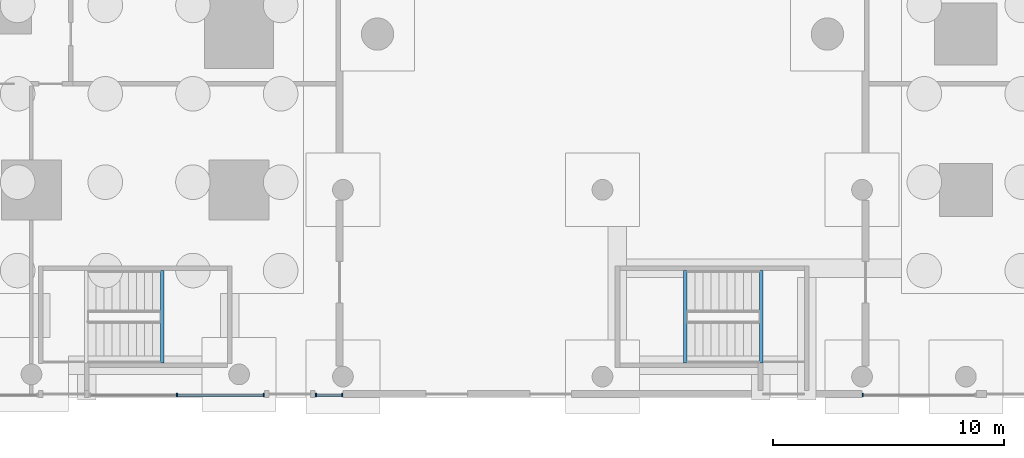
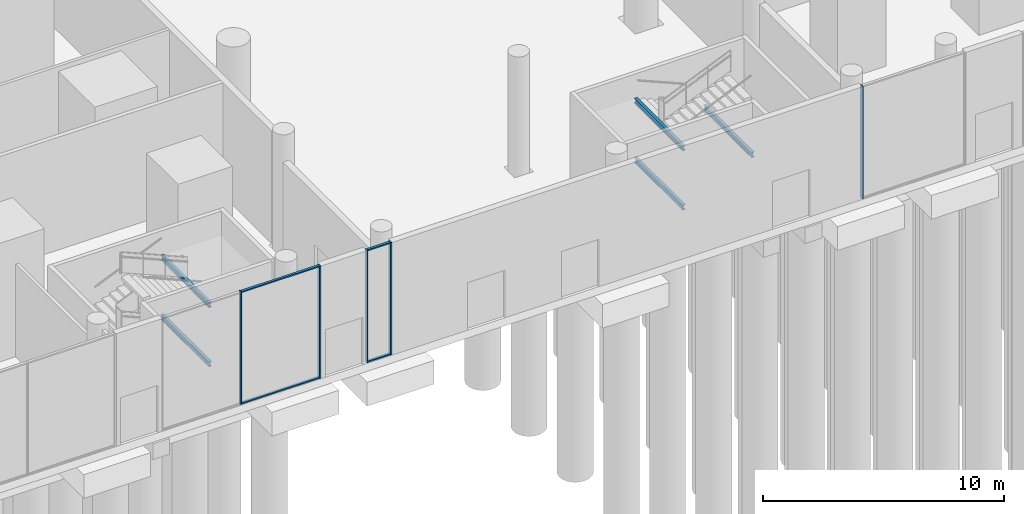
# One storey, part 6 of 31: 9 members, 5 beams, 3 elements without a shape of their own.
"""IFC4 building model written with IfcOpenShell, lengths in metres."""

from ifc_helpers import new_model, si_unit, direction, frame, origin, origin_2d, place, context, subcontext, project, spatial, rectangle, i_section, extrude, material, layer, layer_set, material_profile, profile_set, type_object, element, aggregate, save


model = new_model("IFC4")

# Units and contexts
model_context = context("Model", 3, precision=1e-05, world=origin(), true_north=direction((0.0, 1.0)))
body_context = subcontext(model_context, "Body", "Model", "MODEL_VIEW")
ifc_project = project(units=[si_unit("LENGTHUNIT", "METRE"), si_unit("AREAUNIT", "SQUARE_METRE"), si_unit("VOLUMEUNIT", "CUBIC_METRE"), si_unit("PLANEANGLEUNIT", "RADIAN"), si_unit("MASSUNIT", "GRAM", prefix="KILO")], contexts=[model_context])

# Site, building, storey
site_placement = place(None, origin())
site = spatial("IfcSite", under=ifc_project, at=site_placement, CompositionType="ELEMENT")
building_placement = place(site_placement, origin())
building = spatial("IfcBuilding", under=site, at=building_placement, Name="Namib Vertical Campus", CompositionType="ELEMENT")
storey_placement = place(building_placement, origin())
storey = spatial("IfcBuildingStorey", under=building, at=storey_placement, Name="L00", CompositionType="ELEMENT", Elevation=0.0)

# Curtain wall, members
ifc_material_1 = material(Name="Black aluminium curtain wall", Category="aluminium")
ifc_layer = layer(ifc_material_1, 0.199951171875)
ifc_layer_set = layer_set([ifc_layer], Name="Entrance curtain wall CW-EN")
curtain_wall_type = type_object("IfcCurtainWallType", Name="Entrance curtain wall CW-EN", PredefinedType="USERDEFINED", material=ifc_layer_set)
curtain_wall_1_placement = place(storey_placement, origin())
curtain_wall_1 = element("IfcCurtainWall", 1, at=curtain_wall_1_placement, inside=storey, type_object=curtain_wall_type, Name="Curtain wall CW-EN L00 5-1", ObjectType="CURTAIN WALL", PredefinedType="USERDEFINED")
ifc_material_2 = material(Name="Black anodised aluminium", Category="aluminium")
ifc_material_profile_1 = material_profile(ifc_material_2, rectangle(XDim=0.06005859375, YDim=0.159912109375, at=origin_2d()))
ifc_profile_set_1 = profile_set([ifc_material_profile_1], Name="Black anodised aluminium")
member_type_1 = type_object("IfcMemberType", Name="Curtain wall mullion 60x160", PredefinedType="MULLION", material=ifc_profile_set_1)
member_1_placement = place(storey_placement, frame((33.300048828125, -4.39990234375, 0.0), z_axis=(0.0, 0.0, 1.0), x_axis=(1.0, 0.0, 0.0)))
member_1 = element("IfcMember", 2, at=member_1_placement, type_object=member_type_1, Name="CW-EN mullion 2", PredefinedType="MULLION", context=body_context, shape_type="SweptSolid", body=[
    extrude(rectangle(XDim=0.06005859375, YDim=0.159912109375, at=origin_2d()), origin(), (0.0, 0.0, 1.0), 5.699951171875),
])
member_2_placement = place(storey_placement, frame((37.070068359375, -4.39990234375, 0.0), z_axis=(0.0, 0.0, 1.0), x_axis=(1.0, 0.0, 0.0)))
member_2 = element("IfcMember", 3, at=member_2_placement, type_object=member_type_1, Name="CW-EN mullion 3", PredefinedType="MULLION", context=body_context, shape_type="SweptSolid", body=[
    extrude(rectangle(XDim=0.06005859375, YDim=0.159912109375, at=origin_2d()), origin(), (0.0, 0.0, 1.0), 5.699951171875),
])

curtain_wall_2_placement = place(storey_placement, origin())
curtain_wall_2 = element("IfcCurtainWall", 4, at=curtain_wall_2_placement, inside=storey, type_object=curtain_wall_type, Name="Curtain wall CW-EN L00 7-1", ObjectType="CURTAIN WALL", PredefinedType="USERDEFINED")
member_3_placement = place(storey_placement, frame((39.330078125, -4.39990234375, 0.0), z_axis=(0.0, 0.0, 1.0), x_axis=(1.0, 0.0, 0.0)))
member_3 = element("IfcMember", 5, at=member_3_placement, type_object=member_type_1, Name="CW-EN mullion 1", PredefinedType="MULLION", context=body_context, shape_type="SweptSolid", body=[
    extrude(rectangle(XDim=0.06005859375, YDim=0.159912109375, at=origin_2d()), origin(), (0.0, 0.0, 1.0), 5.699951171875),
])
member_4_placement = place(storey_placement, frame((40.469970703125, -4.39990234375, 0.0), z_axis=(0.0, 0.0, 1.0), x_axis=(1.0, 0.0, 0.0)))
member_4 = element("IfcMember", 6, at=member_4_placement, type_object=member_type_1, Name="CW-EN mullion 2", PredefinedType="MULLION", context=body_context, shape_type="SweptSolid", body=[
    extrude(rectangle(XDim=0.06005859375, YDim=0.159912109375, at=origin_2d()), origin(), (0.0, 0.0, 1.0), 5.699951171875),
])

# Curtain wall, member
curtain_wall_3_placement = place(storey_placement, origin())
curtain_wall_3 = element("IfcCurtainWall", 7, at=curtain_wall_3_placement, inside=storey, type_object=curtain_wall_type, Name="Curtain wall CW-EN L00 9-1", ObjectType="CURTAIN WALL", PredefinedType="USERDEFINED")
member_5_placement = place(storey_placement, frame((63.030029296875, -4.39990234375, 0.0), z_axis=(0.0, 0.0, 1.0), x_axis=(1.0, 0.0, 0.0)))
member_5 = element("IfcMember", 8, at=member_5_placement, type_object=member_type_1, Name="CW-EN mullion 1", PredefinedType="MULLION", context=body_context, shape_type="SweptSolid", body=[
    extrude(rectangle(XDim=0.06005859375, YDim=0.159912109375, at=origin_2d()), origin(), (0.0, 0.0, 1.0), 5.699951171875),
])
aggregate(curtain_wall_3, [member_5])

# Member
ifc_material_3 = material(Name="Black anodised aluminium", Category="aluminium")
ifc_material_profile_2 = material_profile(ifc_material_3, rectangle(XDim=0.06005859375, YDim=0.1201171875, at=origin_2d()))
ifc_profile_set_2 = profile_set([ifc_material_profile_2], Name="Black anodised aluminium")
member_type_2 = type_object("IfcMemberType", Name="Curtain wall transom 60x120", PredefinedType="USERDEFINED", material=ifc_profile_set_2)
member_6_placement = place(storey_placement, frame((33.330078125, -4.39990234375, 0.030029296875), z_axis=(1.0, 0.0, 0.0), x_axis=(0.0, 0.0, 1.0)))
member_6 = element("IfcMember", 9, at=member_6_placement, type_object=member_type_2, Name="CW-EN transom 2.1", ObjectType="TRANSOM", PredefinedType="USERDEFINED", context=body_context, shape_type="SweptSolid", body=[
    extrude(rectangle(XDim=0.06005859375, YDim=0.1201171875, at=origin_2d()), origin(), (0.0, 0.0, 1.0), 3.7099609375),
])

member_7_placement = place(storey_placement, frame((33.330078125, -4.39990234375, 5.669921875), z_axis=(1.0, 0.0, 0.0), x_axis=(0.0, 0.0, 1.0)))
member_7 = element("IfcMember", 10, at=member_7_placement, type_object=member_type_2, Name="CW-EN transom 2.2", ObjectType="TRANSOM", PredefinedType="USERDEFINED", context=body_context, shape_type="SweptSolid", body=[
    extrude(rectangle(XDim=0.06005859375, YDim=0.1201171875, at=origin_2d()), origin(), (0.0, 0.0, 1.0), 3.7099609375),
])

aggregate(curtain_wall_1, [member_1, member_2, member_6, member_7])

member_8_placement = place(storey_placement, frame((39.360107421875, -4.39990234375, 0.030029296875), z_axis=(1.0, 0.0, 0.0), x_axis=(0.0, 0.0, 1.0)))
member_8 = element("IfcMember", 11, at=member_8_placement, type_object=member_type_2, Name="CW-EN transom 1.1", ObjectType="TRANSOM", PredefinedType="USERDEFINED", context=body_context, shape_type="SweptSolid", body=[
    extrude(rectangle(XDim=0.06005859375, YDim=0.1201171875, at=origin_2d()), origin(), (0.0, 0.0, 1.0), 1.079833984375),
])

member_9_placement = place(storey_placement, frame((39.360107421875, -4.39990234375, 5.669921875), z_axis=(1.0, 0.0, 0.0), x_axis=(0.0, 0.0, 1.0)))
member_9 = element("IfcMember", 12, at=member_9_placement, type_object=member_type_2, Name="CW-EN transom 1.2", ObjectType="TRANSOM", PredefinedType="USERDEFINED", context=body_context, shape_type="SweptSolid", body=[
    extrude(rectangle(XDim=0.06005859375, YDim=0.1201171875, at=origin_2d()), origin(), (0.0, 0.0, 1.0), 1.079833984375),
])

aggregate(curtain_wall_2, [member_3, member_4, member_8, member_9])

# Beams
ifc_material_4 = material(Name="Steel S355JR", Category="steel")
ifc_material_profile_3 = material_profile(ifc_material_4, i_section(OverallWidth=0.14599609375, OverallDepth=0.25146484375, WebThickness=0.006103515625, FlangeThickness=0.008544921875, FilletRadius=0.007568359375, at=origin_2d()))
ifc_profile_set_3 = profile_set([ifc_material_profile_3], Name="Steel S355JR")
beam_type = type_object("IfcBeamType", Name="Landing trimmer UB 254x146x31", PredefinedType="BEAM", material=ifc_profile_set_3)
for number, where, z_axis, x_axis, name in (
    (13, (32.669189453125, -3.0, 1.374267578125), (0.0, 1.0, 0.0), (-1.0, 0.0, 0.0), "Landing trimmer LT1 P-S2 L00 1"),
    (14, (32.669189453125, -3.0, 4.374267578125), (0.0, 1.0, 0.0), (-1.0, 0.0, 0.0), "Landing trimmer LT1 P-S2 L00 3"),
    (15, (55.330810546875, -3.0, 1.374267578125), (0.0, 1.0, 0.0), (-1.0, 0.0, 0.0), "Landing trimmer LT1 P-S4 L00 1"),
    (16, (58.626953125, -3.0, 2.874267578125), (0.0, 1.0, 0.0), (-1.0, 0.0, 0.0), "Landing trimmer LT1 P-S4 L00 2"),
    (17, (55.330810546875, -3.0, 4.374267578125), (0.0, 1.0, 0.0), (-1.0, 0.0, 0.0), "Landing trimmer LT1 P-S4 L00 3"),
):
    element("IfcBeam", number, at=place(storey_placement, frame(where, z_axis=z_axis, x_axis=x_axis)), inside=storey, type_object=beam_type, Name=name, PredefinedType="BEAM", context=body_context, shape_type="SweptSolid", body=[
        extrude(i_section(OverallWidth=0.14599609375, OverallDepth=0.25146484375, WebThickness=0.006103515625, FlangeThickness=0.008544921875, FilletRadius=0.007568359375, at=origin_2d()), origin(), (0.0, 0.0, 1.0), 4.0),
    ])

save(model, "model.ifc")
